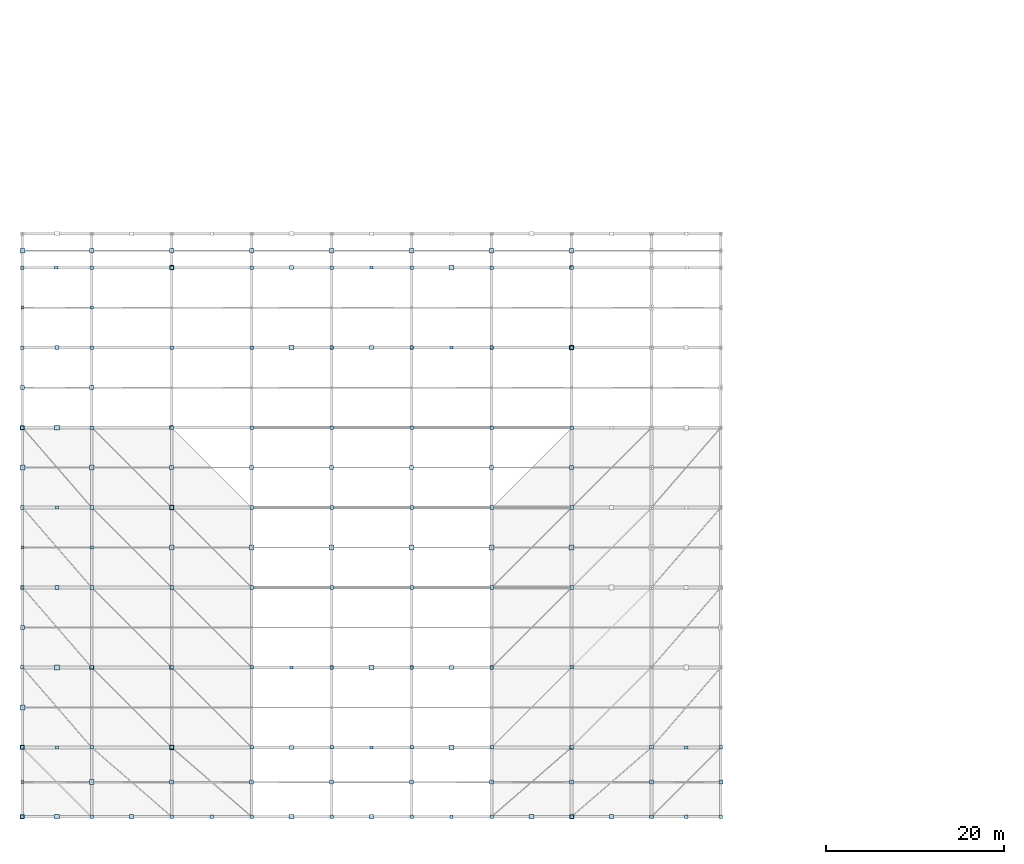
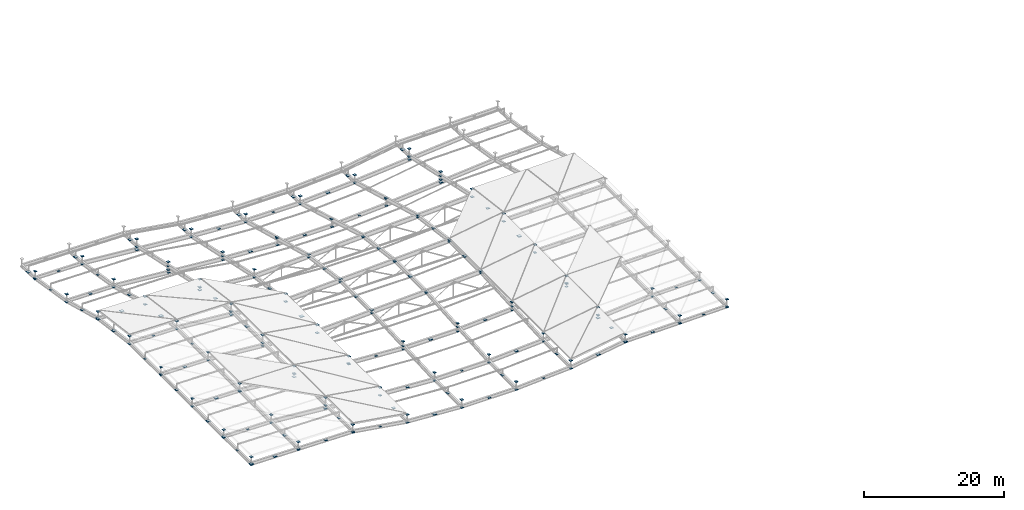
# One storey, part 76 of 80: 238 plates.
"""IFC4 building model written with IfcOpenShell, lengths in metres."""

from ifc_helpers import new_model, si_unit, direction, frame, origin, origin_2d, place, context, subcontext, project, spatial, rectangle, extrude, material, layer, layer_set, type_object, element, save


model = new_model("IFC4")

# Units and contexts
model_context = context("Model", 3, precision=1e-05, world=origin(), true_north=direction((0.0, 1.0)))
body_context = subcontext(model_context, "Body", "Model", "MODEL_VIEW")
ifc_project = project(units=[si_unit("LENGTHUNIT", "METRE"), si_unit("AREAUNIT", "SQUARE_METRE"), si_unit("VOLUMEUNIT", "CUBIC_METRE"), si_unit("PLANEANGLEUNIT", "RADIAN"), si_unit("MASSUNIT", "GRAM", prefix="KILO")], contexts=[model_context])

# Site, building, storey
site_placement = place(None, origin())
site = spatial("IfcSite", under=ifc_project, at=site_placement, CompositionType="ELEMENT")
building_placement = place(site_placement, origin())
building = spatial("IfcBuilding", under=site, at=building_placement, Name="Barlavento Convention Centre", CompositionType="ELEMENT")
storey_placement = place(building_placement, frame((0.0, 0.0, 29.800048828125)))
storey = spatial("IfcBuildingStorey", under=building, at=storey_placement, Name="RF", CompositionType="ELEMENT", Elevation=29.800048828125)

# Plates
ifc_material = material(Name="Steel S355", Category="steel")
ifc_layer_1 = layer(ifc_material, 0.02197265625)
ifc_layer_set_1 = layer_set([ifc_layer_1], Name="STR-PLT-CAP-360")
plate_type_1 = type_object("IfcPlateType", Name="STR-PLT-CAP-360", PredefinedType="SHEET", material=ifc_layer_set_1)
for number, where, z_axis, x_axis, name in (
    (1, (-3.89990234375, 0.0, 0.33251953125), (0.0, 0.0, 1.0), (1.0, 0.0, 0.0), "Space frame node hub plate EC02"),
    (2, (31.5, 0.0, -1.81103515625), (0.0, 0.0, 1.0), (1.0, 0.0, 0.0), "Space frame node hub plate EC02"),
    (3, (66.89990234375, 0.0, 0.33251953125), (0.0, 0.0, 1.0), (1.0, 0.0, 0.0), "Space frame node hub plate EC02"),
    (4, (22.5, 9.0, -1.5390625), (0.0, 0.0, 1.0), (1.0, 0.0, 0.0), "Space frame node hub plate EC02"),
    (5, (54.0, 9.0, -0.495849609375), (0.0, 0.0, 1.0), (1.0, 0.0, 0.0), "Space frame node hub plate EC02"),
    (6, (9.0, 18.0, -0.495849609375), (0.0, 0.0, 1.0), (1.0, 0.0, 0.0), "Space frame node hub plate EC02"),
    (7, (-3.89990234375, 27.0, 0.33251953125), (0.0, 0.0, 1.0), (1.0, 0.0, 0.0), "Space frame node hub plate EC02"),
    (8, (9.0, 45.0, -4.095703125), (0.0, 0.0, 1.0), (1.0, 0.0, 0.0), "Space frame node hub plate EC02"),
    (9, (40.5, 45.0, -5.13916015625), (0.0, 0.0, 1.0), (1.0, 0.0, 0.0), "Space frame node hub plate EC02"),
    (10, (-3.97998046875, 54.0, -4.7275390625), (0.0, 0.0, 1.0), (1.0, 0.0, 0.0), "Space frame node hub plate EC02"),
    (11, (31.5, 54.0, -6.8720703125), (0.0, 0.0, 1.0), (1.0, 0.0, 0.0), "Space frame node hub plate EC02"),
    (12, (13.5, -7.800048828125, -0.56103515625), (0.0, 0.0, 1.0), (1.0, 0.0, 0.0), "Space frame node hub plate EC02"),
    (13, (40.5, -7.800048828125, -1.5390625), (0.0, 0.0, 1.0), (1.0, 0.0, 0.0), "Space frame node hub plate EC02"),
    (14, (66.89990234375, -7.800048828125, 0.33251953125), (0.0, 0.0, 1.0), (1.0, 0.0, 0.0), "Space frame node hub plate EC02"),
    (15, (0.0, 22.5, 0.27587890625), (0.0, 0.0, 1.0), (1.0, 0.0, 0.0), "Space frame node hub plate EC02"),
    (16, (0.0, 49.5, -4.0546875), (0.0, 0.0, 1.0), (1.0, 0.0, 0.0), "Space frame node hub plate EC02"),
    (17, (9.0, 9.0, 0.145263671875), (0.0, 0.0, 1.0), (1.0, 0.0, 0.0), "Space frame node hub plate EC02"),
    (18, (9.0, 45.0, -2.97802734375), (0.0, 0.0, 1.0), (1.0, 0.0, 0.0), "Space frame node hub plate EC02"),
    (19, (18.0, 9.0, -1.267333984375), (0.0, 0.0, 1.0), (1.0, 0.0, 0.0), "Space frame node hub plate EC02"),
    (20, (18.0, 45.0, -4.390625), (0.0, 0.0, 1.0), (1.0, 0.0, 0.0), "Space frame node hub plate EC02"),
    (21, (27.0, 8.925048828125, -1.362548828125), (0.0, 0.0, 1.0), (1.0, 0.0, 0.0), "Space frame node hub plate EC02"),
    (22, (27.0, 45.074951171875, -4.486083984375), (0.0, 0.0, 1.0), (1.0, 0.0, 0.0), "Space frame node hub plate EC02"),
    (23, (36.0, 8.925048828125, -1.18603515625), (0.0, 0.0, 1.0), (1.0, 0.0, 0.0), "Space frame node hub plate EC02"),
    (24, (36.0, 45.074951171875, -4.309326171875), (0.0, 0.0, 1.0), (1.0, 0.0, 0.0), "Space frame node hub plate EC02"),
    (25, (45.0, 8.925048828125, -0.737548828125), (0.0, 0.0, 1.0), (1.0, 0.0, 0.0), "Space frame node hub plate EC02"),
    (26, (45.0, 45.074951171875, -3.86083984375), (0.0, 0.0, 1.0), (1.0, 0.0, 0.0), "Space frame node hub plate EC02"),
    (27, (54.0, 9.0, 0.145263671875), (0.0, 0.0, 1.0), (1.0, 0.0, 0.0), "Space frame node hub plate EC02"),
    (28, (54.0, 45.0, -2.97802734375), (0.0, 0.0, 1.0), (1.0, 0.0, 0.0), "Space frame node hub plate EC02"),
    (29, (-7.800048828125, -3.89990234375, 0.388916015625), (0.0, 0.0, 1.0), (1.0, 0.0, 0.0), "Space frame node hub plate EC02"),
    (30, (-7.800048828125, 22.5, 0.388916015625), (0.0, 0.0, 1.0), (1.0, 0.0, 0.0), "Space frame node hub plate EC02"),
    (31, (-7.800048828125, 49.5, -3.941650390625), (0.0, 0.0, 1.0), (1.0, 0.0, 0.0), "Space frame node hub plate EC02"),
    (32, (0.0, -7.800048828125, 0.27587890625), (0.0, 0.0, 1.0), (1.0, 0.0, 0.0), "Hollow V-strut sealed end-cap plate"),
    (33, (9.0, -7.800048828125, 0.145263671875), (0.0, 0.0, 1.0), (1.0, 0.0, 0.0), "Hollow V-strut sealed end-cap plate"),
    (34, (63.0, -7.800048828125, 0.27587890625), (0.0, 0.0, 1.0), (1.0, 0.0, 0.0), "Hollow V-strut sealed end-cap plate"),
    (35, (70.800048828125, -7.800048828125, 0.388916015625), (0.0, 0.0, 1.0), (1.0, 0.0, 0.0), "Hollow V-strut sealed end-cap plate"),
    (36, (-7.800048828125, 18.0, 0.388916015625), (0.0, 0.0, 1.0), (1.0, 0.0, 0.0), "Hollow V-strut sealed end-cap plate"),
    (37, (-7.800048828125, 54.0, -4.672119140625), (0.0, 0.0, 1.0), (1.0, 0.0, 0.0), "Hollow V-strut sealed end-cap plate"),
):
    element("IfcPlate", number, at=place(storey_placement, frame(where, z_axis=z_axis, x_axis=x_axis)), inside=storey, type_object=plate_type_1, Name=name, PredefinedType="SHEET", context=body_context, shape_type="SweptSolid", body=[
        extrude(rectangle(XDim=0.360107421875, YDim=0.360107421875, at=origin_2d()), origin(), (0.0, 0.0, 1.0), 0.02197265625),
    ])
ifc_layer_2 = layer(ifc_material, 0.06005859375)
ifc_layer_set_2 = layer_set([ifc_layer_2], Name="STR-PLT-CAP-400")
plate_type_2 = type_object("IfcPlateType", Name="STR-PLT-CAP-400", PredefinedType="SHEET", material=ifc_layer_set_2)
for number, where, z_axis, x_axis, name in (
    (38, (-7.800048828125, -7.800048828125, 0.219970703125), (0.0, 0.0, 1.0), (1.0, 0.0, 0.0), "Space frame post sealing end-cap plate EC05"),
    (39, (-7.800048828125, -7.800048828125, 1.58984375), (0.0, 0.0, 1.0), (1.0, 0.0, 0.0), "Space frame post sealing end-cap plate EC05"),
    (40, (-7.800048828125, 0.0, 0.219970703125), (0.0, 0.0, 1.0), (1.0, 0.0, 0.0), "Space frame post sealing end-cap plate EC05"),
    (41, (-7.800048828125, 0.0, 1.58984375), (0.0, 0.0, 1.0), (1.0, 0.0, 0.0), "Space frame post sealing end-cap plate EC05"),
    (42, (-7.800048828125, 9.0, 0.219970703125), (0.0, 0.0, 1.0), (1.0, 0.0, 0.0), "Space frame post sealing end-cap plate EC05"),
    (43, (-7.800048828125, 9.0, 1.58984375), (0.0, 0.0, 1.0), (1.0, 0.0, 0.0), "Space frame post sealing end-cap plate EC05"),
    (44, (-7.800048828125, 18.0, 0.219970703125), (0.0, 0.0, 1.0), (1.0, 0.0, 0.0), "Space frame post sealing end-cap plate EC05"),
    (45, (-7.800048828125, 18.0, 1.58984375), (0.0, 0.0, 1.0), (1.0, 0.0, 0.0), "Space frame post sealing end-cap plate EC05"),
    (46, (-7.800048828125, 27.0, 0.219970703125), (0.0, 0.0, 1.0), (1.0, 0.0, 0.0), "Space frame post sealing end-cap plate EC05"),
    (47, (-7.800048828125, 27.0, 1.58984375), (0.0, 0.0, 1.0), (1.0, 0.0, 0.0), "Space frame post sealing end-cap plate EC05"),
    (48, (-7.800048828125, 36.0, -0.9658203125), (0.0, 0.0, 1.0), (1.0, 0.0, 0.0), "Space frame post sealing end-cap plate EC05"),
    (49, (-7.800048828125, 36.0, 0.404296875), (0.0, 0.0, 1.0), (1.0, 0.0, 0.0), "Space frame post sealing end-cap plate EC05"),
    (50, (-7.800048828125, 45.0, -3.380126953125), (0.0, 0.0, 1.0), (1.0, 0.0, 0.0), "Space frame post sealing end-cap plate EC05"),
    (51, (-7.800048828125, 45.0, -2.010009765625), (0.0, 0.0, 1.0), (1.0, 0.0, 0.0), "Space frame post sealing end-cap plate EC05"),
    (52, (-7.800048828125, 54.0, -4.841064453125), (0.0, 0.0, 1.0), (1.0, 0.0, 0.0), "Space frame post sealing end-cap plate EC05"),
    (53, (-7.800048828125, 54.0, -3.47119140625), (0.0, 0.0, 1.0), (1.0, 0.0, 0.0), "Space frame post sealing end-cap plate EC05"),
    (54, (0.0, -7.800048828125, 0.10693359375), (0.0, 0.0, 1.0), (1.0, 0.0, 0.0), "Space frame post sealing end-cap plate EC05"),
    (55, (0.0, -7.800048828125, 1.476806640625), (0.0, 0.0, 1.0), (1.0, 0.0, 0.0), "Space frame post sealing end-cap plate EC05"),
    (56, (0.0, 0.0, 0.10693359375), (0.0, 0.0, 1.0), (1.0, 0.0, 0.0), "Space frame post sealing end-cap plate EC05"),
    (57, (0.0, 0.0, 1.476806640625), (0.0, 0.0, 1.0), (1.0, 0.0, 0.0), "Space frame post sealing end-cap plate EC05"),
    (58, (0.0, 9.0, 0.10693359375), (0.0, 0.0, 1.0), (1.0, 0.0, 0.0), "Space frame post sealing end-cap plate EC05"),
    (59, (0.0, 9.0, 1.476806640625), (0.0, 0.0, 1.0), (1.0, 0.0, 0.0), "Space frame post sealing end-cap plate EC05"),
    (60, (0.0, 18.0, 0.10693359375), (0.0, 0.0, 1.0), (1.0, 0.0, 0.0), "Space frame post sealing end-cap plate EC05"),
    (61, (0.0, 18.0, 1.476806640625), (0.0, 0.0, 1.0), (1.0, 0.0, 0.0), "Space frame post sealing end-cap plate EC05"),
    (62, (0.0, 27.0, 0.10693359375), (0.0, 0.0, 1.0), (1.0, 0.0, 0.0), "Space frame post sealing end-cap plate EC05"),
    (63, (0.0, 27.0, 1.476806640625), (0.0, 0.0, 1.0), (1.0, 0.0, 0.0), "Space frame post sealing end-cap plate EC05"),
    (64, (0.0, 36.0, -1.078857421875), (0.0, 0.0, 1.0), (1.0, 0.0, 0.0), "Space frame post sealing end-cap plate EC05"),
    (65, (0.0, 36.0, 0.291015625), (0.0, 0.0, 1.0), (1.0, 0.0, 0.0), "Space frame post sealing end-cap plate EC05"),
    (66, (0.0, 45.0, -3.4931640625), (0.0, 0.0, 1.0), (1.0, 0.0, 0.0), "Space frame post sealing end-cap plate EC05"),
    (67, (0.0, 45.0, -2.123291015625), (0.0, 0.0, 1.0), (1.0, 0.0, 0.0), "Space frame post sealing end-cap plate EC05"),
    (68, (0.0, 54.0, -4.9541015625), (0.0, 0.0, 1.0), (1.0, 0.0, 0.0), "Space frame post sealing end-cap plate EC05"),
    (69, (0.0, 54.0, -3.584228515625), (0.0, 0.0, 1.0), (1.0, 0.0, 0.0), "Space frame post sealing end-cap plate EC05"),
    (70, (9.0, -7.800048828125, -0.023681640625), (0.0, 0.0, 1.0), (1.0, 0.0, 0.0), "Space frame post sealing end-cap plate EC05"),
    (71, (9.0, -7.800048828125, 1.34619140625), (0.0, 0.0, 1.0), (1.0, 0.0, 0.0), "Space frame post sealing end-cap plate EC05"),
    (72, (9.0, 0.0, -0.023681640625), (0.0, 0.0, 1.0), (1.0, 0.0, 0.0), "Space frame post sealing end-cap plate EC05"),
    (73, (9.0, 0.0, 1.34619140625), (0.0, 0.0, 1.0), (1.0, 0.0, 0.0), "Space frame post sealing end-cap plate EC05"),
    (74, (9.0, 9.0, -0.023681640625), (0.0, 0.0, 1.0), (1.0, 0.0, 0.0), "Space frame post sealing end-cap plate EC05"),
    (75, (9.0, 9.0, 1.34619140625), (0.0, 0.0, 1.0), (1.0, 0.0, 0.0), "Space frame post sealing end-cap plate EC05"),
    (76, (9.0, 18.0, -0.023681640625), (0.0, 0.0, 1.0), (1.0, 0.0, 0.0), "Space frame post sealing end-cap plate EC05"),
    (77, (9.0, 18.0, 1.34619140625), (0.0, 0.0, 1.0), (1.0, 0.0, 0.0), "Space frame post sealing end-cap plate EC05"),
    (78, (9.0, 27.0, -0.023681640625), (0.0, 0.0, 1.0), (1.0, 0.0, 0.0), "Space frame post sealing end-cap plate EC05"),
    (79, (9.0, 27.0, 1.34619140625), (0.0, 0.0, 1.0), (1.0, 0.0, 0.0), "Space frame post sealing end-cap plate EC05"),
    (80, (9.0, 36.0, -1.20947265625), (0.0, 0.0, 1.0), (1.0, 0.0, 0.0), "Space frame post sealing end-cap plate EC05"),
    (81, (9.0, 36.0, 0.160400390625), (0.0, 0.0, 1.0), (1.0, 0.0, 0.0), "Space frame post sealing end-cap plate EC05"),
    (82, (9.0, 45.0, -3.623779296875), (0.0, 0.0, 1.0), (1.0, 0.0, 0.0), "Space frame post sealing end-cap plate EC05"),
    (83, (9.0, 45.0, -2.253662109375), (0.0, 0.0, 1.0), (1.0, 0.0, 0.0), "Space frame post sealing end-cap plate EC05"),
    (84, (9.0, 54.0, -5.084716796875), (0.0, 0.0, 1.0), (1.0, 0.0, 0.0), "Space frame post sealing end-cap plate EC05"),
    (85, (9.0, 54.0, -3.714599609375), (0.0, 0.0, 1.0), (1.0, 0.0, 0.0), "Space frame post sealing end-cap plate EC05"),
    (86, (18.0, -7.800048828125, -1.436279296875), (0.0, 0.0, 1.0), (1.0, 0.0, 0.0), "Space frame post sealing end-cap plate EC05"),
    (87, (18.0, -7.800048828125, -0.06640625), (0.0, 0.0, 1.0), (1.0, 0.0, 0.0), "Space frame post sealing end-cap plate EC05"),
    (88, (18.0, 0.0, -1.436279296875), (0.0, 0.0, 1.0), (1.0, 0.0, 0.0), "Space frame post sealing end-cap plate EC05"),
    (89, (18.0, 0.0, -0.06640625), (0.0, 0.0, 1.0), (1.0, 0.0, 0.0), "Space frame post sealing end-cap plate EC05"),
    (90, (18.0, 9.0, -1.436279296875), (0.0, 0.0, 1.0), (1.0, 0.0, 0.0), "Space frame post sealing end-cap plate EC05"),
    (91, (18.0, 9.0, -0.06640625), (0.0, 0.0, 1.0), (1.0, 0.0, 0.0), "Space frame post sealing end-cap plate EC05"),
    (92, (18.0, 18.0, -1.436279296875), (0.0, 0.0, 1.0), (1.0, 0.0, 0.0), "Space frame post sealing end-cap plate EC05"),
    (93, (18.0, 18.0, -0.06640625), (0.0, 0.0, 1.0), (1.0, 0.0, 0.0), "Space frame post sealing end-cap plate EC05"),
    (94, (18.0, 27.0, -1.436279296875), (0.0, 0.0, 1.0), (1.0, 0.0, 0.0), "Space frame post sealing end-cap plate EC05"),
    (95, (18.0, 27.0, -0.06640625), (0.0, 0.0, 1.0), (1.0, 0.0, 0.0), "Space frame post sealing end-cap plate EC05"),
    (96, (18.0, 36.0, -2.6220703125), (0.0, 0.0, 1.0), (1.0, 0.0, 0.0), "Space frame post sealing end-cap plate EC05"),
    (97, (18.0, 36.0, -1.252197265625), (0.0, 0.0, 1.0), (1.0, 0.0, 0.0), "Space frame post sealing end-cap plate EC05"),
    (98, (18.0, 45.0, -5.036376953125), (0.0, 0.0, 1.0), (1.0, 0.0, 0.0), "Space frame post sealing end-cap plate EC05"),
    (99, (18.0, 45.0, -3.666259765625), (0.0, 0.0, 1.0), (1.0, 0.0, 0.0), "Space frame post sealing end-cap plate EC05"),
    (100, (18.0, 54.0, -6.497314453125), (0.0, 0.0, 1.0), (1.0, 0.0, 0.0), "Space frame post sealing end-cap plate EC05"),
    (101, (18.0, 54.0, -5.12744140625), (0.0, 0.0, 1.0), (1.0, 0.0, 0.0), "Space frame post sealing end-cap plate EC05"),
    (102, (27.0, -7.800048828125, -1.97998046875), (0.0, 0.0, 1.0), (1.0, 0.0, 0.0), "Space frame post sealing end-cap plate EC05"),
    (103, (27.0, -7.800048828125, -0.610107421875), (0.0, 0.0, 1.0), (1.0, 0.0, 0.0), "Space frame post sealing end-cap plate EC05"),
    (104, (27.0, 0.0, -1.97998046875), (0.0, 0.0, 1.0), (1.0, 0.0, 0.0), "Space frame post sealing end-cap plate EC05"),
    (105, (27.0, 0.0, -0.610107421875), (0.0, 0.0, 1.0), (1.0, 0.0, 0.0), "Space frame post sealing end-cap plate EC05"),
    (106, (27.0, 9.0, -1.97998046875), (0.0, 0.0, 1.0), (1.0, 0.0, 0.0), "Space frame post sealing end-cap plate EC05"),
    (107, (27.0, 9.0, -0.610107421875), (0.0, 0.0, 1.0), (1.0, 0.0, 0.0), "Space frame post sealing end-cap plate EC05"),
    (108, (27.0, 18.0, -1.083251953125), (0.0, 0.0, 1.0), (1.0, 0.0, 0.0), "Space frame post sealing end-cap plate EC05"),
    (109, (27.0, 18.0, -0.610107421875), (0.0, 0.0, 1.0), (1.0, 0.0, 0.0), "Space frame post sealing end-cap plate EC05"),
    (110, (27.0, 27.0, -1.083251953125), (0.0, 0.0, 1.0), (1.0, 0.0, 0.0), "Space frame post sealing end-cap plate EC05"),
    (111, (27.0, 27.0, -0.610107421875), (0.0, 0.0, 1.0), (1.0, 0.0, 0.0), "Space frame post sealing end-cap plate EC05"),
    (112, (27.0, 36.0, -2.26904296875), (0.0, 0.0, 1.0), (1.0, 0.0, 0.0), "Space frame post sealing end-cap plate EC05"),
    (113, (27.0, 36.0, -1.7958984375), (0.0, 0.0, 1.0), (1.0, 0.0, 0.0), "Space frame post sealing end-cap plate EC05"),
    (114, (27.0, 45.0, -5.580078125), (0.0, 0.0, 1.0), (1.0, 0.0, 0.0), "Space frame post sealing end-cap plate EC05"),
    (115, (27.0, 45.0, -4.2099609375), (0.0, 0.0, 1.0), (1.0, 0.0, 0.0), "Space frame post sealing end-cap plate EC05"),
    (116, (27.0, 54.0, -7.041015625), (0.0, 0.0, 1.0), (1.0, 0.0, 0.0), "Space frame post sealing end-cap plate EC05"),
    (117, (27.0, 54.0, -5.671142578125), (0.0, 0.0, 1.0), (1.0, 0.0, 0.0), "Space frame post sealing end-cap plate EC05"),
    (118, (36.0, -7.800048828125, -1.97998046875), (0.0, 0.0, 1.0), (1.0, 0.0, 0.0), "Space frame post sealing end-cap plate EC05"),
    (119, (36.0, -7.800048828125, -0.610107421875), (0.0, 0.0, 1.0), (1.0, 0.0, 0.0), "Space frame post sealing end-cap plate EC05"),
    (120, (36.0, 0.0, -1.97998046875), (0.0, 0.0, 1.0), (1.0, 0.0, 0.0), "Space frame post sealing end-cap plate EC05"),
    (121, (36.0, 0.0, -0.610107421875), (0.0, 0.0, 1.0), (1.0, 0.0, 0.0), "Space frame post sealing end-cap plate EC05"),
    (122, (36.0, 9.0, -1.97998046875), (0.0, 0.0, 1.0), (1.0, 0.0, 0.0), "Space frame post sealing end-cap plate EC05"),
    (123, (36.0, 9.0, -0.610107421875), (0.0, 0.0, 1.0), (1.0, 0.0, 0.0), "Space frame post sealing end-cap plate EC05"),
    (124, (36.0, 18.0, -0.72998046875), (0.0, 0.0, 1.0), (1.0, 0.0, 0.0), "Space frame post sealing end-cap plate EC05"),
    (125, (36.0, 18.0, -0.610107421875), (0.0, 0.0, 1.0), (1.0, 0.0, 0.0), "Space frame post sealing end-cap plate EC05"),
    (126, (36.0, 27.0, -0.72998046875), (0.0, 0.0, 1.0), (1.0, 0.0, 0.0), "Space frame post sealing end-cap plate EC05"),
    (127, (36.0, 27.0, -0.610107421875), (0.0, 0.0, 1.0), (1.0, 0.0, 0.0), "Space frame post sealing end-cap plate EC05"),
    (128, (36.0, 36.0, -1.915771484375), (0.0, 0.0, 1.0), (1.0, 0.0, 0.0), "Space frame post sealing end-cap plate EC05"),
    (129, (36.0, 36.0, -1.7958984375), (0.0, 0.0, 1.0), (1.0, 0.0, 0.0), "Space frame post sealing end-cap plate EC05"),
    (130, (36.0, 45.0, -5.580078125), (0.0, 0.0, 1.0), (1.0, 0.0, 0.0), "Space frame post sealing end-cap plate EC05"),
    (131, (36.0, 45.0, -4.2099609375), (0.0, 0.0, 1.0), (1.0, 0.0, 0.0), "Space frame post sealing end-cap plate EC05"),
    (132, (36.0, 54.0, -7.041015625), (0.0, 0.0, 1.0), (1.0, 0.0, 0.0), "Space frame post sealing end-cap plate EC05"),
    (133, (36.0, 54.0, -5.671142578125), (0.0, 0.0, 1.0), (1.0, 0.0, 0.0), "Space frame post sealing end-cap plate EC05"),
    (134, (45.0, -7.800048828125, -1.436279296875), (0.0, 0.0, 1.0), (1.0, 0.0, 0.0), "Space frame post sealing end-cap plate EC05"),
    (135, (45.0, -7.800048828125, -0.06640625), (0.0, 0.0, 1.0), (1.0, 0.0, 0.0), "Space frame post sealing end-cap plate EC05"),
    (136, (45.0, 0.0, -1.436279296875), (0.0, 0.0, 1.0), (1.0, 0.0, 0.0), "Space frame post sealing end-cap plate EC05"),
    (137, (45.0, 0.0, -0.06640625), (0.0, 0.0, 1.0), (1.0, 0.0, 0.0), "Space frame post sealing end-cap plate EC05"),
    (138, (45.0, 9.0, -1.436279296875), (0.0, 0.0, 1.0), (1.0, 0.0, 0.0), "Space frame post sealing end-cap plate EC05"),
    (139, (45.0, 9.0, -0.06640625), (0.0, 0.0, 1.0), (1.0, 0.0, 0.0), "Space frame post sealing end-cap plate EC05"),
    (140, (45.0, 18.0, -0.376953125), (0.0, 0.0, 1.0), (1.0, 0.0, 0.0), "Space frame post sealing end-cap plate EC05"),
    (141, (45.0, 18.0, -0.06640625), (0.0, 0.0, 1.0), (1.0, 0.0, 0.0), "Space frame post sealing end-cap plate EC05"),
    (142, (45.0, 27.0, -0.376953125), (0.0, 0.0, 1.0), (1.0, 0.0, 0.0), "Space frame post sealing end-cap plate EC05"),
    (143, (45.0, 27.0, -0.06640625), (0.0, 0.0, 1.0), (1.0, 0.0, 0.0), "Space frame post sealing end-cap plate EC05"),
    (144, (45.0, 36.0, -1.5625), (0.0, 0.0, 1.0), (1.0, 0.0, 0.0), "Space frame post sealing end-cap plate EC05"),
    (145, (45.0, 36.0, -1.252197265625), (0.0, 0.0, 1.0), (1.0, 0.0, 0.0), "Space frame post sealing end-cap plate EC05"),
    (146, (45.0, 45.0, -5.036376953125), (0.0, 0.0, 1.0), (1.0, 0.0, 0.0), "Space frame post sealing end-cap plate EC05"),
    (147, (45.0, 45.0, -3.666259765625), (0.0, 0.0, 1.0), (1.0, 0.0, 0.0), "Space frame post sealing end-cap plate EC05"),
    (148, (45.0, 54.0, -6.497314453125), (0.0, 0.0, 1.0), (1.0, 0.0, 0.0), "Space frame post sealing end-cap plate EC05"),
    (149, (45.0, 54.0, -5.12744140625), (0.0, 0.0, 1.0), (1.0, 0.0, 0.0), "Space frame post sealing end-cap plate EC05"),
    (150, (54.0, -7.800048828125, -0.023681640625), (0.0, 0.0, 1.0), (1.0, 0.0, 0.0), "Space frame post sealing end-cap plate EC05"),
    (151, (54.0, -7.800048828125, 1.34619140625), (0.0, 0.0, 1.0), (1.0, 0.0, 0.0), "Space frame post sealing end-cap plate EC05"),
    (152, (54.0, 0.0, -0.023681640625), (0.0, 0.0, 1.0), (1.0, 0.0, 0.0), "Space frame post sealing end-cap plate EC05"),
    (153, (54.0, 0.0, 1.34619140625), (0.0, 0.0, 1.0), (1.0, 0.0, 0.0), "Space frame post sealing end-cap plate EC05"),
    (154, (54.0, 9.0, -0.023681640625), (0.0, 0.0, 1.0), (1.0, 0.0, 0.0), "Space frame post sealing end-cap plate EC05"),
    (155, (54.0, 9.0, 1.34619140625), (0.0, 0.0, 1.0), (1.0, 0.0, 0.0), "Space frame post sealing end-cap plate EC05"),
    (156, (54.0, 18.0, -0.023681640625), (0.0, 0.0, 1.0), (1.0, 0.0, 0.0), "Space frame post sealing end-cap plate EC05"),
    (157, (54.0, 18.0, 1.34619140625), (0.0, 0.0, 1.0), (1.0, 0.0, 0.0), "Space frame post sealing end-cap plate EC05"),
    (158, (54.0, 27.0, -0.023681640625), (0.0, 0.0, 1.0), (1.0, 0.0, 0.0), "Space frame post sealing end-cap plate EC05"),
    (159, (54.0, 27.0, 1.34619140625), (0.0, 0.0, 1.0), (1.0, 0.0, 0.0), "Space frame post sealing end-cap plate EC05"),
    (160, (54.0, 36.0, -1.20947265625), (0.0, 0.0, 1.0), (1.0, 0.0, 0.0), "Space frame post sealing end-cap plate EC05"),
    (161, (54.0, 36.0, 0.160400390625), (0.0, 0.0, 1.0), (1.0, 0.0, 0.0), "Space frame post sealing end-cap plate EC05"),
    (162, (54.0, 45.0, -3.623779296875), (0.0, 0.0, 1.0), (1.0, 0.0, 0.0), "Space frame post sealing end-cap plate EC05"),
    (163, (54.0, 45.0, -2.253662109375), (0.0, 0.0, 1.0), (1.0, 0.0, 0.0), "Space frame post sealing end-cap plate EC05"),
    (164, (54.0, 54.0, -5.084716796875), (0.0, 0.0, 1.0), (1.0, 0.0, 0.0), "Space frame post sealing end-cap plate EC05"),
    (165, (54.0, 54.0, -3.714599609375), (0.0, 0.0, 1.0), (1.0, 0.0, 0.0), "Space frame post sealing end-cap plate EC05"),
    (166, (63.0, -7.800048828125, 0.10693359375), (0.0, 0.0, 1.0), (1.0, 0.0, 0.0), "Space frame post sealing end-cap plate EC05"),
    (167, (63.0, -7.800048828125, 1.476806640625), (0.0, 0.0, 1.0), (1.0, 0.0, 0.0), "Space frame post sealing end-cap plate EC05"),
    (168, (63.0, 0.0, 0.10693359375), (0.0, 0.0, 1.0), (1.0, 0.0, 0.0), "Space frame post sealing end-cap plate EC05"),
    (169, (63.0, 0.0, 1.476806640625), (0.0, 0.0, 1.0), (1.0, 0.0, 0.0), "Space frame post sealing end-cap plate EC05"),
    (170, (70.800048828125, -7.800048828125, 0.219970703125), (0.0, 0.0, 1.0), (1.0, 0.0, 0.0), "Space frame post sealing end-cap plate EC05"),
    (171, (70.800048828125, -7.800048828125, 1.58984375), (0.0, 0.0, 1.0), (1.0, 0.0, 0.0), "Space frame post sealing end-cap plate EC05"),
    (172, (70.800048828125, 0.0, 0.219970703125), (0.0, 0.0, 1.0), (1.0, 0.0, 0.0), "Space frame post sealing end-cap plate EC05"),
):
    element("IfcPlate", number, at=place(storey_placement, frame(where, z_axis=z_axis, x_axis=x_axis)), inside=storey, type_object=plate_type_2, Name=name, PredefinedType="SHEET", context=body_context, shape_type="SweptSolid", body=[
        extrude(rectangle(XDim=0.39990234375, YDim=0.39990234375, at=origin_2d()), origin(), (0.0, 0.0, 1.0), 0.06005859375),
    ])
ifc_layer_3 = layer(ifc_material, 0.02587890625)
ifc_layer_set_3 = layer_set([ifc_layer_3], Name="STR-PLT-CAP-480")
plate_type_3 = type_object("IfcPlateType", Name="STR-PLT-CAP-480", PredefinedType="SHEET", material=ifc_layer_set_3)
for number, where, z_axis, x_axis, name in (
    (173, (-7.800048828125, -7.800048828125, 0.386962890625), (0.0, 0.0, 1.0), (1.0, 0.0, 0.0), "Hollow V-strut sealed end-cap plate"),
    (174, (54.0, -7.800048828125, 0.143310546875), (0.0, 0.0, 1.0), (1.0, 0.0, 0.0), "Hollow V-strut sealed end-cap plate"),
    (175, (-7.800048828125, 0.0, 0.386962890625), (0.0, 0.0, 1.0), (1.0, 0.0, 0.0), "Hollow V-strut sealed end-cap plate"),
    (176, (-7.800048828125, 36.0, -0.798583984375), (0.0, 0.0, 1.0), (1.0, 0.0, 0.0), "Hollow V-strut sealed end-cap plate"),
):
    element("IfcPlate", number, at=place(storey_placement, frame(where, z_axis=z_axis, x_axis=x_axis)), inside=storey, type_object=plate_type_3, Name=name, PredefinedType="SHEET", context=body_context, shape_type="SweptSolid", body=[
        extrude(rectangle(XDim=0.5, YDim=0.5, at=origin_2d()), origin(), (0.0, 0.0, 1.0), 0.02587890625),
    ])
ifc_layer_4 = layer(ifc_material, 0.035888671875)
ifc_layer_set_4 = layer_set([ifc_layer_4], Name="STR-PLT-NODE-SFN1")
plate_type_4 = type_object("IfcPlateType", Name="STR-PLT-NODE-SFN1", PredefinedType="USERDEFINED", material=ifc_layer_set_4)
for number, where, z_axis, x_axis, name in (
    (177, (9.0, 0.0, -0.5029296875), (0.0, 0.0, 1.0), (1.0, 0.0, 0.0), "Space frame node hub plate SFN1"),
    (178, (40.5, 0.0, -1.5458984375), (0.0, 0.0, 1.0), (1.0, 0.0, 0.0), "Space frame node hub plate SFN1"),
    (179, (-3.89990234375, 9.0, 0.32568359375), (0.0, 0.0, 1.0), (1.0, 0.0, 0.0), "Space frame node hub plate SFN1"),
    (180, (31.5, 9.0, -1.81787109375), (0.0, 0.0, 1.0), (1.0, 0.0, 0.0), "Space frame node hub plate SFN1"),
    (181, (9.0, 27.0, -0.5029296875), (0.0, 0.0, 1.0), (1.0, 0.0, 0.0), "Space frame node hub plate SFN1"),
    (182, (-3.89990234375, 36.0, -0.8603515625), (0.0, 0.0, 1.0), (1.0, 0.0, 0.0), "Space frame node hub plate SFN1"),
    (183, (22.5, 45.0, -5.14599609375), (0.0, 0.0, 1.0), (1.0, 0.0, 0.0), "Space frame node hub plate SFN1"),
    (184, (54.0, 45.0, -4.1025390625), (0.0, 0.0, 1.0), (1.0, 0.0, 0.0), "Space frame node hub plate SFN1"),
    (185, (9.0, 54.0, -5.55322265625), (0.0, 0.0, 1.0), (1.0, 0.0, 0.0), "Space frame node hub plate SFN1"),
    (186, (40.5, 54.0, -6.61865234375), (0.0, 0.0, 1.0), (1.0, 0.0, 0.0), "Space frame node hub plate SFN1"),
    (187, (-3.89990234375, -7.800048828125, 0.32568359375), (0.0, 0.0, 1.0), (1.0, 0.0, 0.0), "Space frame node hub plate SFN1"),
    (188, (22.5, -7.800048828125, -1.5458984375), (0.0, 0.0, 1.0), (1.0, 0.0, 0.0), "Space frame node hub plate SFN1"),
    (189, (49.5, -7.800048828125, -0.56787109375), (0.0, 0.0, 1.0), (1.0, 0.0, 0.0), "Space frame node hub plate SFN1"),
    (190, (0.0, -3.89990234375, 0.26904296875), (0.0, 0.0, 1.0), (1.0, 0.0, 0.0), "Space frame node hub plate SFN1"),
    (191, (0.0, 31.5, -0.32373046875), (0.0, 0.0, 1.0), (1.0, 0.0, 0.0), "Space frame node hub plate SFN1"),
    (192, (0.0, 55.89990234375, -4.86181640625), (0.0, 0.0, 1.0), (1.0, 0.0, 0.0), "Space frame node hub plate SFN1"),
    (193, (9.0, 22.5, 0.13818359375), (0.0, 0.0, 1.0), (1.0, 0.0, 0.0), "Space frame node hub plate SFN1"),
    (194, (9.0, 55.89990234375, -4.9921875), (0.0, 0.0, 1.0), (1.0, 0.0, 0.0), "Space frame node hub plate SFN1"),
    (195, (18.0, 22.5, -1.2744140625), (0.0, 0.0, 1.0), (1.0, 0.0, 0.0), "Space frame node hub plate SFN1"),
    (196, (18.0, 55.89990234375, -6.40478515625), (0.0, 0.0, 1.0), (1.0, 0.0, 0.0), "Space frame node hub plate SFN1"),
    (197, (27.0, 22.5, -0.9208984375), (0.0, 0.0, 1.0), (1.0, 0.0, 0.0), "Space frame node hub plate SFN1"),
    (198, (27.0, 55.89990234375, -6.94873046875), (0.0, 0.0, 1.0), (1.0, 0.0, 0.0), "Space frame node hub plate SFN1"),
    (199, (36.0, 22.5, -0.56787109375), (0.0, 0.0, 1.0), (1.0, 0.0, 0.0), "Space frame node hub plate SFN1"),
    (200, (36.0, 55.89990234375, -6.94873046875), (0.0, 0.0, 1.0), (1.0, 0.0, 0.0), "Space frame node hub plate SFN1"),
    (201, (45.0, 22.5, -0.21484375), (0.0, 0.0, 1.0), (1.0, 0.0, 0.0), "Space frame node hub plate SFN1"),
    (202, (45.0, 55.89990234375, -6.40478515625), (0.0, 0.0, 1.0), (1.0, 0.0, 0.0), "Space frame node hub plate SFN1"),
    (203, (54.0, 22.5, 0.13818359375), (0.0, 0.0, 1.0), (1.0, 0.0, 0.0), "Space frame node hub plate SFN1"),
    (204, (54.0, 55.89990234375, -4.9921875), (0.0, 0.0, 1.0), (1.0, 0.0, 0.0), "Space frame node hub plate SFN1"),
    (205, (-7.800048828125, 4.5, 0.3818359375), (0.0, 0.0, 1.0), (1.0, 0.0, 0.0), "Space frame node hub plate SFN1"),
    (206, (-7.800048828125, 31.5, -0.2109375), (0.0, 0.0, 1.0), (1.0, 0.0, 0.0), "Space frame node hub plate SFN1"),
    (207, (-7.800048828125, 55.89990234375, -4.74853515625), (0.0, 0.0, 1.0), (1.0, 0.0, 0.0), "Space frame node hub plate SFN1"),
):
    element("IfcPlate", number, at=place(storey_placement, frame(where, z_axis=z_axis, x_axis=x_axis)), inside=storey, type_object=plate_type_4, Name=name, ObjectType="GUSSET_PLATE", PredefinedType="USERDEFINED", context=body_context, shape_type="SweptSolid", body=[
        extrude(rectangle(XDim=0.5400390625, YDim=0.5400390625, at=origin_2d()), origin(), (0.0, 0.0, 1.0), 0.035888671875),
    ])
ifc_layer_5 = layer(ifc_material, 0.031982421875)
ifc_layer_set_5 = layer_set([ifc_layer_5], Name="STR-PLT-NODE-SFN2")
plate_type_5 = type_object("IfcPlateType", Name="STR-PLT-NODE-SFN2", PredefinedType="USERDEFINED", material=ifc_layer_set_5)
for number, where, z_axis, x_axis, name in (
    (208, (22.5, 0.0, -1.5439453125), (0.0, 0.0, 1.0), (1.0, 0.0, 0.0), "Space frame node hub plate SFN2"),
    (209, (54.0, 0.0, -0.5009765625), (0.0, 0.0, 1.0), (1.0, 0.0, 0.0), "Space frame node hub plate SFN2"),
    (210, (9.0, 9.0, -0.5009765625), (0.0, 0.0, 1.0), (1.0, 0.0, 0.0), "Space frame node hub plate SFN2"),
    (211, (40.5, 9.0, -1.5439453125), (0.0, 0.0, 1.0), (1.0, 0.0, 0.0), "Space frame node hub plate SFN2"),
    (212, (-3.89990234375, 18.0, 0.32763671875), (0.0, 0.0, 1.0), (1.0, 0.0, 0.0), "Space frame node hub plate SFN2"),
    (213, (9.0, 36.0, -1.6865234375), (0.0, 0.0, 1.0), (1.0, 0.0, 0.0), "Space frame node hub plate SFN2"),
    (214, (-3.89990234375, 45.0, -3.2724609375), (0.0, 0.0, 1.0), (1.0, 0.0, 0.0), "Space frame node hub plate SFN2"),
    (215, (31.5, 45.0, -5.416015625), (0.0, 0.0, 1.0), (1.0, 0.0, 0.0), "Space frame node hub plate SFN2"),
    (216, (22.5, 54.0, -6.61669921875), (0.0, 0.0, 1.0), (1.0, 0.0, 0.0), "Space frame node hub plate SFN2"),
    (217, (54.0, 54.0, -5.55126953125), (0.0, 0.0, 1.0), (1.0, 0.0, 0.0), "Space frame node hub plate SFN2"),
    (218, (4.5, -7.800048828125, 0.20556640625), (0.0, 0.0, 1.0), (1.0, 0.0, 0.0), "Space frame node hub plate SFN2"),
    (219, (31.5, -7.800048828125, -1.81591796875), (0.0, 0.0, 1.0), (1.0, 0.0, 0.0), "Space frame node hub plate SFN2"),
    (220, (58.5, -7.800048828125, 0.20556640625), (0.0, 0.0, 1.0), (1.0, 0.0, 0.0), "Space frame node hub plate SFN2"),
    (221, (0.0, 9.0, 0.27099609375), (0.0, 0.0, 1.0), (1.0, 0.0, 0.0), "Space frame node hub plate SFN2"),
    (222, (0.0, 40.5, -2.1220703125), (0.0, 0.0, 1.0), (1.0, 0.0, 0.0), "Space frame node hub plate SFN2"),
    (223, (9.0, -3.89990234375, 0.14013671875), (0.0, 0.0, 1.0), (1.0, 0.0, 0.0), "Space frame node hub plate SFN2"),
    (224, (9.0, 31.5, -0.45263671875), (0.0, 0.0, 1.0), (1.0, 0.0, 0.0), "Space frame node hub plate SFN2"),
    (225, (18.0, -3.89990234375, -1.2724609375), (0.0, 0.0, 1.0), (1.0, 0.0, 0.0), "Space frame node hub plate SFN2"),
    (226, (18.0, 31.5, -1.865234375), (0.0, 0.0, 1.0), (1.0, 0.0, 0.0), "Space frame node hub plate SFN2"),
    (227, (27.0, -3.89990234375, -1.81591796875), (0.0, 0.0, 1.0), (1.0, 0.0, 0.0), "Space frame node hub plate SFN2"),
    (228, (27.0, 31.5, -1.51220703125), (0.0, 0.0, 1.0), (1.0, 0.0, 0.0), "Space frame node hub plate SFN2"),
    (229, (36.0, -3.89990234375, -1.81591796875), (0.0, 0.0, 1.0), (1.0, 0.0, 0.0), "Space frame node hub plate SFN2"),
    (230, (36.0, 31.5, -1.15869140625), (0.0, 0.0, 1.0), (1.0, 0.0, 0.0), "Space frame node hub plate SFN2"),
    (231, (45.0, -3.89990234375, -1.2724609375), (0.0, 0.0, 1.0), (1.0, 0.0, 0.0), "Space frame node hub plate SFN2"),
    (232, (45.0, 31.5, -0.8056640625), (0.0, 0.0, 1.0), (1.0, 0.0, 0.0), "Space frame node hub plate SFN2"),
    (233, (54.0, -3.89990234375, 0.14013671875), (0.0, 0.0, 1.0), (1.0, 0.0, 0.0), "Space frame node hub plate SFN2"),
    (234, (54.0, 31.5, -0.45263671875), (0.0, 0.0, 1.0), (1.0, 0.0, 0.0), "Space frame node hub plate SFN2"),
    (235, (63.0, -3.89990234375, 0.27099609375), (0.0, 0.0, 1.0), (1.0, 0.0, 0.0), "Space frame node hub plate SFN2"),
    (236, (-7.800048828125, 13.5, 0.3837890625), (0.0, 0.0, 1.0), (1.0, 0.0, 0.0), "Space frame node hub plate SFN2"),
    (237, (-7.800048828125, 40.5, -2.0087890625), (0.0, 0.0, 1.0), (1.0, 0.0, 0.0), "Space frame node hub plate SFN2"),
    (238, (70.800048828125, -3.89990234375, 0.3837890625), (0.0, 0.0, 1.0), (1.0, 0.0, 0.0), "Space frame node hub plate SFN2"),
):
    element("IfcPlate", number, at=place(storey_placement, frame(where, z_axis=z_axis, x_axis=x_axis)), inside=storey, type_object=plate_type_5, Name=name, ObjectType="GUSSET_PLATE", PredefinedType="USERDEFINED", context=body_context, shape_type="SweptSolid", body=[
        extrude(rectangle(XDim=0.4599609375, YDim=0.4599609375, at=origin_2d()), origin(), (0.0, 0.0, 1.0), 0.031982421875),
    ])

save(model, "model.ifc")
